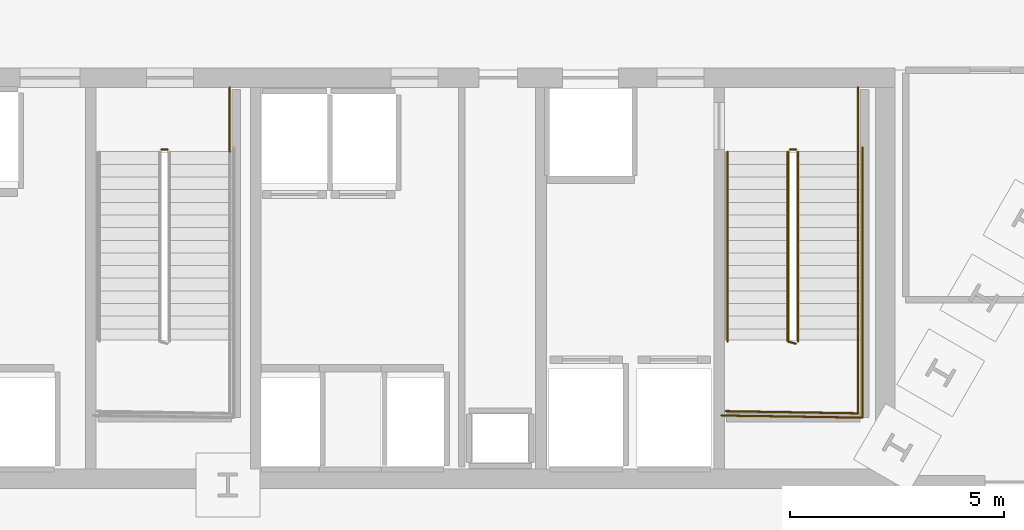
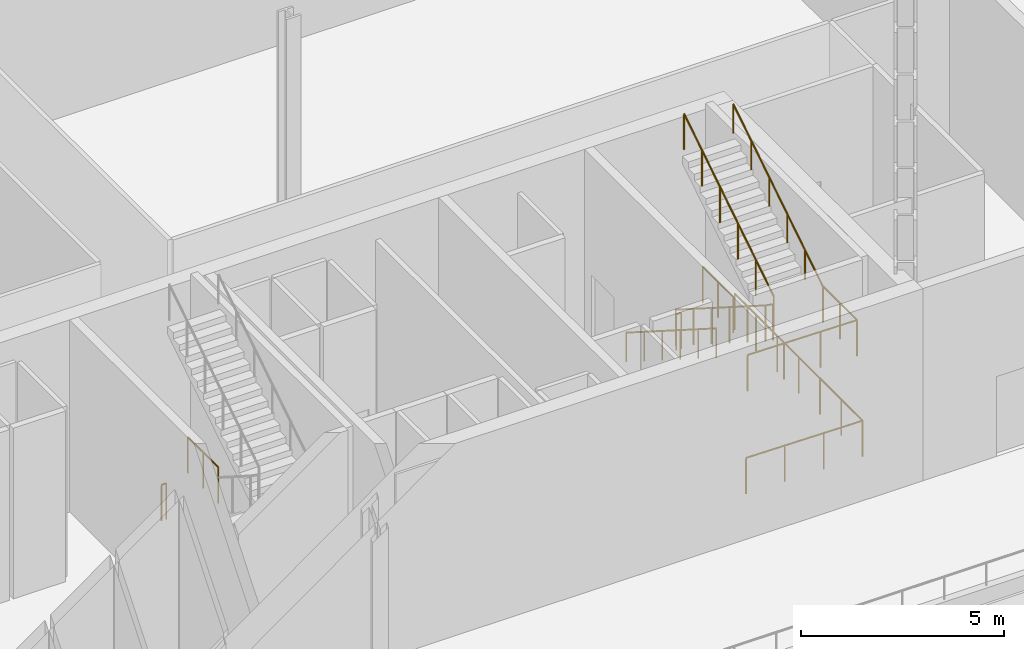
# One storey, part 10 of 13: 10 railings.
"""IFC4 building model written with IfcOpenShell, lengths in metres."""

from ifc_helpers import new_model, si_unit, direction, frame, origin, origin_2d, place, context, subcontext, project, spatial, circle, extrude, material, layer, layer_set, type_object, element, save


model = new_model("IFC4")

# Units and contexts
model_context = context("Model", 3, precision=1e-05, world=origin(), true_north=direction((0.0, 1.0)))
body_context = subcontext(model_context, "Body", "Model", "MODEL_VIEW")
ifc_project = project(units=[si_unit("LENGTHUNIT", "METRE"), si_unit("AREAUNIT", "SQUARE_METRE"), si_unit("VOLUMEUNIT", "CUBIC_METRE"), si_unit("PLANEANGLEUNIT", "RADIAN"), si_unit("MASSUNIT", "GRAM", prefix="KILO")], contexts=[model_context])

# Site, building, storey
site_placement = place(None, origin())
site = spatial("IfcSite", under=ifc_project, at=site_placement, CompositionType="ELEMENT")
building_placement = place(site_placement, origin())
building = spatial("IfcBuilding", under=site, at=building_placement, Name="Ndaravel Arena Tower", CompositionType="ELEMENT")
storey_placement = place(building_placement, frame((0.0, 0.0, 30.0)))
storey = spatial("IfcBuildingStorey", under=building, at=storey_placement, Name="L05", CompositionType="ELEMENT", Elevation=30.0)

# Railings
ifc_material_1 = material(Name="Steel S355", Category="steel")
ifc_layer_1 = layer(ifc_material_1, 0.06005859375)
ifc_layer_set_1 = layer_set([ifc_layer_1], Name="Steel S355")
railing_type_1 = type_object("IfcRailingType", Name="RAIL-STAIR-GD1100", PredefinedType="GUARDRAIL", material=ifc_layer_set_1)
railing_1_placement = place(storey_placement, frame((40.449951171875, 13.300048828125, 0.0)))
element("IfcRailing", 1, at=railing_1_placement, inside=storey, type_object=railing_type_1, Name="L05 ST-2 stair guard 4", PredefinedType="GUARDRAIL", context=body_context, shape_type="SweptSolid", body=[
    extrude(circle(Radius=0.02392578125, at=origin_2d()), frame((0.0, 0.0, 1.076171875), z_axis=(1.0, 0.0, 0.0), x_axis=(0.0, 1.0, 0.0)), (0.0, 0.0, 1.0), 0.14013671875),
    extrude(circle(Radius=0.02099609375, at=origin_2d()), origin(), (0.0, 0.0, 1.0), 1.052001953125),
    extrude(circle(Radius=0.02099609375, at=origin_2d()), frame((0.14013671875, 0.0, 0.0)), (0.0, 0.0, 1.0), 1.052001953125),
])
railing_2_placement = place(storey_placement, frame((42.0400390625, 14.75, 0.0)))
element("IfcRailing", 2, at=railing_2_placement, inside=storey, type_object=railing_type_1, Name="L05 ST-2 stair guard 5", PredefinedType="GUARDRAIL", context=body_context, shape_type="SweptSolid", body=[
    extrude(circle(Radius=0.02392578125, at=origin_2d()), frame((0.0, 0.0, 1.076171875), z_axis=(0.0, -1.0, 0.0), x_axis=(1.0, 0.0, 0.0)), (0.0, 0.0, 1.0), 1.5),
    extrude(circle(Radius=0.02099609375, at=origin_2d()), origin(), (0.0, 0.0, 1.0), 1.052001953125),
    extrude(circle(Radius=0.02099609375, at=origin_2d()), frame((0.0, -0.75, 0.0)), (0.0, 0.0, 1.0), 1.052001953125),
    extrude(circle(Radius=0.02099609375, at=origin_2d()), frame((0.0, -1.5, 0.0)), (0.0, 0.0, 1.0), 1.052001953125),
])
railing_3_placement = place(storey_placement, frame((55.050048828125, 13.25, 0.1875)))
element("IfcRailing", 3, at=railing_3_placement, inside=storey, type_object=railing_type_1, Name="L05 ST-3 stair guard 1", PredefinedType="GUARDRAIL", context=body_context, shape_type="SweptSolid", body=[
    extrude(circle(Radius=0.02392578125, at=origin_2d()), frame((0.0, 0.0, 1.076171875), z_axis=(0.0, -0.843958541447, 0.536408408136), x_axis=(1.0, 0.0, 0.0)), (0.0, 0.0, 1.0), 5.2431640625),
    extrude(circle(Radius=0.02392578125, at=origin_2d()), frame((0.0, -4.425048828125, 3.888671875), z_axis=(0.966993988697, -0.254799187253, 0.0), x_axis=(0.254799187253, 0.966993988697, 0.0)), (0.0, 0.0, 1.0), 0.196533203125),
    extrude(circle(Radius=0.02099609375, at=origin_2d()), origin(), (0.0, 0.0, 1.0), 1.052001953125),
    extrude(circle(Radius=0.02099609375, at=origin_2d()), frame((0.0, -0.885009765625, 0.5625)), (0.0, 0.0, 1.0), 1.052001953125),
    extrude(circle(Radius=0.02099609375, at=origin_2d()), frame((0.0, -1.77001953125, 1.125)), (0.0, 0.0, 1.0), 1.052001953125),
    extrude(circle(Radius=0.02099609375, at=origin_2d()), frame((0.0, -2.655029296875, 1.6875)), (0.0, 0.0, 1.0), 1.052001953125),
    extrude(circle(Radius=0.02099609375, at=origin_2d()), frame((0.0, -3.5400390625, 2.25)), (0.0, 0.0, 1.0), 1.052001953125),
    extrude(circle(Radius=0.02099609375, at=origin_2d()), frame((0.0, -4.425048828125, 2.8125)), (0.0, 0.0, 1.0), 1.052001953125),
    extrude(circle(Radius=0.02099609375, at=origin_2d()), frame((0.18994140625, -4.47509765625, 2.8125)), (0.0, 0.0, 1.0), 1.052001953125),
])
railing_4_placement = place(storey_placement, frame((56.68994140625, 8.824951171875, 3.0)))
element("IfcRailing", 4, at=railing_4_placement, inside=storey, type_object=railing_type_1, Name="L05 ST-3 stair guard 2", PredefinedType="GUARDRAIL", context=body_context, shape_type="SweptSolid", body=[
    extrude(circle(Radius=0.02392578125, at=origin_2d()), frame((0.0, 0.0, 1.076171875), z_axis=(0.0, -1.0, 0.0), x_axis=(1.0, 0.0, 0.0)), (0.0, 0.0, 1.0), 1.675048828125),
    extrude(circle(Radius=0.02392578125, at=origin_2d()), frame((0.0, -1.675048828125, 1.076171875), z_axis=(-0.999868840623, 0.016195726322, 0.0), x_axis=(-0.016195726322, -0.999868840623, 0.0)), (0.0, 0.0, 1.0), 3.09033203125),
    extrude(circle(Radius=0.02099609375, at=origin_2d()), origin(), (0.0, 0.0, 1.0), 1.052001953125),
    extrude(circle(Radius=0.02099609375, at=origin_2d()), frame((0.0, -0.83740234375, 0.0)), (0.0, 0.0, 1.0), 1.052001953125),
    extrude(circle(Radius=0.02099609375, at=origin_2d()), frame((0.0, -1.675048828125, 0.0)), (0.0, 0.0, 1.0), 1.052001953125),
    extrude(circle(Radius=0.02099609375, at=origin_2d()), frame((-1.030029296875, -1.658447265625, 0.0)), (0.0, 0.0, 1.0), 1.052001953125),
    extrude(circle(Radius=0.02099609375, at=origin_2d()), frame((-2.059814453125, -1.6416015625, 0.0)), (0.0, 0.0, 1.0), 1.052001953125),
    extrude(circle(Radius=0.02099609375, at=origin_2d()), frame((-3.08984375, -1.625, 0.0)), (0.0, 0.0, 1.0), 1.052001953125),
])
railing_5_placement = place(storey_placement, frame((55.2900390625, 8.824951171875, 3.1875)))
element("IfcRailing", 5, at=railing_5_placement, inside=storey, type_object=railing_type_1, Name="L05 ST-3 stair guard 3", PredefinedType="GUARDRAIL", context=body_context, shape_type="SweptSolid", body=[
    extrude(circle(Radius=0.02392578125, at=origin_2d()), frame((0.0, 0.0, 1.076171875), z_axis=(0.0, 0.843958541447, 0.536408408136), x_axis=(-1.0, 0.0, 0.0)), (0.0, 0.0, 1.0), 5.2431640625),
    extrude(circle(Radius=0.02099609375, at=origin_2d()), origin(), (0.0, 0.0, 1.0), 1.052001953125),
    extrude(circle(Radius=0.02099609375, at=origin_2d()), frame((0.0, 0.885009765625, 0.5625)), (0.0, 0.0, 1.0), 1.052001953125),
    extrude(circle(Radius=0.02099609375, at=origin_2d()), frame((0.0, 1.77001953125, 1.125)), (0.0, 0.0, 1.0), 1.052001953125),
    extrude(circle(Radius=0.02099609375, at=origin_2d()), frame((0.0, 2.655029296875, 1.6875)), (0.0, 0.0, 1.0), 1.052001953125),
    extrude(circle(Radius=0.02099609375, at=origin_2d()), frame((0.0, 3.5400390625, 2.25)), (0.0, 0.0, 1.0), 1.052001953125),
    extrude(circle(Radius=0.02099609375, at=origin_2d()), frame((0.0, 4.425048828125, 2.8125)), (0.0, 0.0, 1.0), 1.052001953125),
])
railing_6_placement = place(storey_placement, frame((55.10009765625, 13.300048828125, 0.0)))
element("IfcRailing", 6, at=railing_6_placement, inside=storey, type_object=railing_type_1, Name="L05 ST-3 stair guard 4", PredefinedType="GUARDRAIL", context=body_context, shape_type="SweptSolid", body=[
    extrude(circle(Radius=0.02392578125, at=origin_2d()), frame((0.0, 0.0, 1.076171875), z_axis=(1.0, 0.0, 0.0), x_axis=(0.0, 1.0, 0.0)), (0.0, 0.0, 1.0), 0.139892578125),
    extrude(circle(Radius=0.02099609375, at=origin_2d()), origin(), (0.0, 0.0, 1.0), 1.052001953125),
    extrude(circle(Radius=0.02099609375, at=origin_2d()), frame((0.139892578125, 0.0, 0.0)), (0.0, 0.0, 1.0), 1.052001953125),
])
railing_7_placement = place(storey_placement, frame((56.68994140625, 14.75, 0.0)))
element("IfcRailing", 7, at=railing_7_placement, inside=storey, type_object=railing_type_1, Name="L05 ST-3 stair guard 5", PredefinedType="GUARDRAIL", context=body_context, shape_type="SweptSolid", body=[
    extrude(circle(Radius=0.02392578125, at=origin_2d()), frame((0.0, 0.0, 1.076171875), z_axis=(0.0, -1.0, 0.0), x_axis=(1.0, 0.0, 0.0)), (0.0, 0.0, 1.0), 1.5),
    extrude(circle(Radius=0.02099609375, at=origin_2d()), origin(), (0.0, 0.0, 1.0), 1.052001953125),
    extrude(circle(Radius=0.02099609375, at=origin_2d()), frame((0.0, -0.75, 0.0)), (0.0, 0.0, 1.0), 1.052001953125),
    extrude(circle(Radius=0.02099609375, at=origin_2d()), frame((0.0, -1.5, 0.0)), (0.0, 0.0, 1.0), 1.052001953125),
])
railing_8_placement = place(storey_placement, frame((56.7900390625, 13.35009765625, 0.0)))
element("IfcRailing", 8, at=railing_8_placement, inside=storey, type_object=railing_type_1, Name="L05 ST-3 stair guard 6", PredefinedType="GUARDRAIL", context=body_context, shape_type="SweptSolid", body=[
    extrude(circle(Radius=0.02392578125, at=origin_2d()), frame((0.0, 0.0, 1.076171875), z_axis=(0.0, -1.0, 0.0), x_axis=(1.0, 0.0, 0.0)), (0.0, 0.0, 1.0), 6.300048828125),
    extrude(circle(Radius=0.02392578125, at=origin_2d()), frame((0.0, -6.300048828125, 1.076171875), z_axis=(-0.99988431412, 0.015210469308, 0.0), x_axis=(-0.015210469308, -0.99988431412, 0.0)), (0.0, 0.0, 1.0), 3.29052734375),
    extrude(circle(Radius=0.02099609375, at=origin_2d()), origin(), (0.0, 0.0, 1.0), 1.052001953125),
    extrude(circle(Radius=0.02099609375, at=origin_2d()), frame((0.0, -1.050048828125, 0.0)), (0.0, 0.0, 1.0), 1.052001953125),
    extrude(circle(Radius=0.02099609375, at=origin_2d()), frame((0.0, -2.10009765625, 0.0)), (0.0, 0.0, 1.0), 1.052001953125),
    extrude(circle(Radius=0.02099609375, at=origin_2d()), frame((0.0, -3.14990234375, 0.0)), (0.0, 0.0, 1.0), 1.052001953125),
    extrude(circle(Radius=0.02099609375, at=origin_2d()), frame((0.0, -4.199951171875, 0.0)), (0.0, 0.0, 1.0), 1.052001953125),
    extrude(circle(Radius=0.02099609375, at=origin_2d()), frame((0.0, -5.25, 0.0)), (0.0, 0.0, 1.0), 1.052001953125),
    extrude(circle(Radius=0.02099609375, at=origin_2d()), frame((0.0, -6.300048828125, 0.0)), (0.0, 0.0, 1.0), 1.052001953125),
    extrude(circle(Radius=0.02099609375, at=origin_2d()), frame((-1.0966796875, -6.283447265625, 0.0)), (0.0, 0.0, 1.0), 1.052001953125),
    extrude(circle(Radius=0.02099609375, at=origin_2d()), frame((-2.193359375, -6.2666015625, 0.0)), (0.0, 0.0, 1.0), 1.052001953125),
    extrude(circle(Radius=0.02099609375, at=origin_2d()), frame((-3.2900390625, -6.25, 0.0)), (0.0, 0.0, 1.0), 1.052001953125),
])
ifc_material_2 = material(Name="Steel S355", Category="steel")
ifc_layer_2 = layer(ifc_material_2, 0.050048828125)
ifc_layer_set_2 = layer_set([ifc_layer_2], Name="Steel S355")
railing_type_2 = type_object("IfcRailingType", Name="RAIL-STAIR-HR920", PredefinedType="HANDRAIL", material=ifc_layer_set_2)
railing_9_placement = place(storey_placement, frame((53.64990234375, 13.25, 0.1875)))
element("IfcRailing", 9, at=railing_9_placement, inside=storey, type_object=railing_type_2, Name="L05 ST-3 stair handrail 1", PredefinedType="HANDRAIL", context=body_context, shape_type="SweptSolid", body=[
    extrude(circle(Radius=0.02392578125, at=origin_2d()), frame((0.0, 0.0, 0.8759765625), z_axis=(0.0, -0.843958541447, 0.536408408136), x_axis=(1.0, 0.0, 0.0)), (0.0, 0.0, 1.0), 5.2431640625),
    extrude(circle(Radius=0.02099609375, at=origin_2d()), origin(), (0.0, 0.0, 1.0), 0.851806640625),
    extrude(circle(Radius=0.02099609375, at=origin_2d()), frame((0.0, -0.885009765625, 0.5625)), (0.0, 0.0, 1.0), 0.851806640625),
    extrude(circle(Radius=0.02099609375, at=origin_2d()), frame((0.0, -1.77001953125, 1.125)), (0.0, 0.0, 1.0), 0.851806640625),
    extrude(circle(Radius=0.02099609375, at=origin_2d()), frame((0.0, -2.655029296875, 1.6875)), (0.0, 0.0, 1.0), 0.851806640625),
    extrude(circle(Radius=0.02099609375, at=origin_2d()), frame((0.0, -3.5400390625, 2.25)), (0.0, 0.0, 1.0), 0.851806640625),
    extrude(circle(Radius=0.02099609375, at=origin_2d()), frame((0.0, -4.425048828125, 2.8125)), (0.0, 0.0, 1.0), 0.851806640625),
])
railing_10_placement = place(storey_placement, frame((56.68994140625, 8.824951171875, 3.1875)))
element("IfcRailing", 10, at=railing_10_placement, inside=storey, type_object=railing_type_2, Name="L05 ST-3 stair handrail 2", PredefinedType="HANDRAIL", context=body_context, shape_type="SweptSolid", body=[
    extrude(circle(Radius=0.02392578125, at=origin_2d()), frame((0.0, 0.0, 0.8759765625), z_axis=(0.0, 0.843958541447, 0.536408408136), x_axis=(-1.0, 0.0, 0.0)), (0.0, 0.0, 1.0), 5.2431640625),
    extrude(circle(Radius=0.02099609375, at=origin_2d()), origin(), (0.0, 0.0, 1.0), 0.851806640625),
    extrude(circle(Radius=0.02099609375, at=origin_2d()), frame((0.0, 0.885009765625, 0.5625)), (0.0, 0.0, 1.0), 0.851806640625),
    extrude(circle(Radius=0.02099609375, at=origin_2d()), frame((0.0, 1.77001953125, 1.125)), (0.0, 0.0, 1.0), 0.851806640625),
    extrude(circle(Radius=0.02099609375, at=origin_2d()), frame((0.0, 2.655029296875, 1.6875)), (0.0, 0.0, 1.0), 0.851806640625),
    extrude(circle(Radius=0.02099609375, at=origin_2d()), frame((0.0, 3.5400390625, 2.25)), (0.0, 0.0, 1.0), 0.851806640625),
    extrude(circle(Radius=0.02099609375, at=origin_2d()), frame((0.0, 4.425048828125, 2.8125)), (0.0, 0.0, 1.0), 0.851806640625),
])

save(model, "model.ifc")
